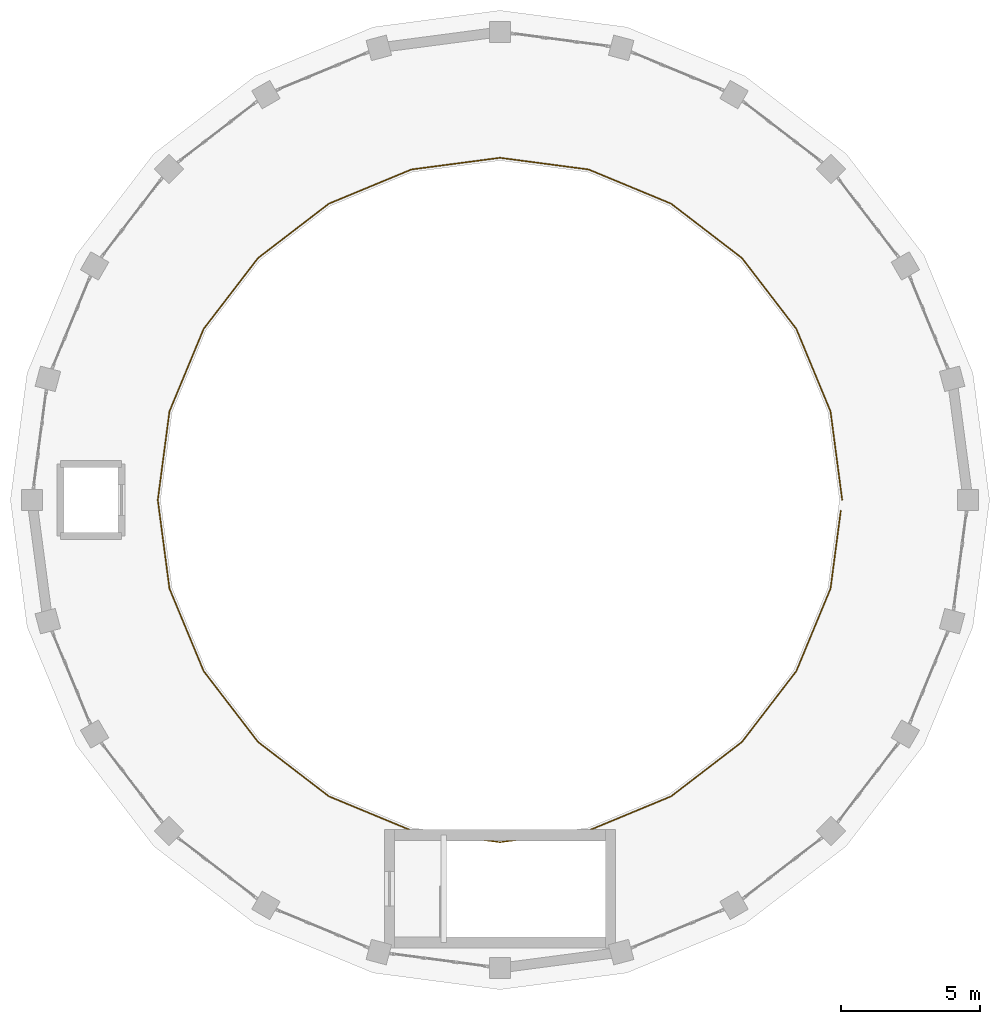
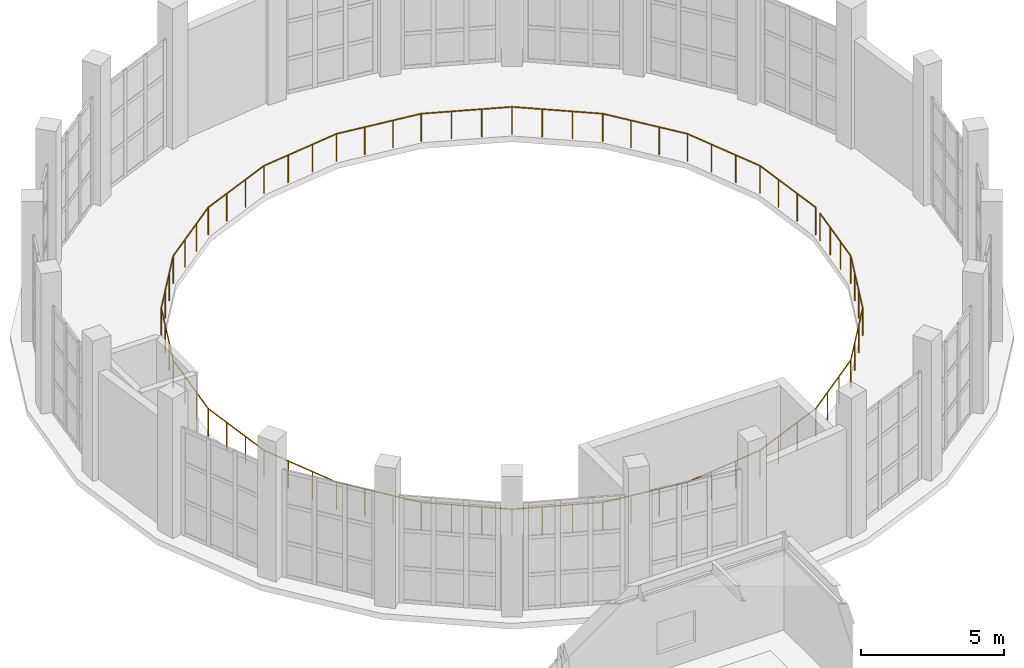
# One storey, part 59 of 59: 1 railing.
"""IFC4 building model written with IfcOpenShell, lengths in metres."""

from ifc_helpers import new_model, si_unit, direction, frame, origin, origin_2d, place, context, subcontext, project, spatial, circle, extrude, material, type_object, element, save


model = new_model("IFC4")

# Units and contexts
model_context = context("Model", 3, precision=1e-05, world=origin(), true_north=direction((0.0, 1.0)))
body_context = subcontext(model_context, "Body", "Model", "MODEL_VIEW")
ifc_project = project(units=[si_unit("LENGTHUNIT", "METRE"), si_unit("AREAUNIT", "SQUARE_METRE"), si_unit("VOLUMEUNIT", "CUBIC_METRE"), si_unit("PLANEANGLEUNIT", "RADIAN"), si_unit("MASSUNIT", "GRAM", prefix="KILO")], contexts=[model_context])

# Site, building, storey
site_placement = place(None, origin())
site = spatial("IfcSite", under=ifc_project, at=site_placement, CompositionType="ELEMENT")
building_placement = place(site_placement, origin())
building = spatial("IfcBuilding", under=site, at=building_placement, Name="Kandorven Conservatory and Botanical Research Centre", CompositionType="ELEMENT")
storey_placement = place(building_placement, frame((0.0, 0.0, 4.800048828125)))
storey = spatial("IfcBuildingStorey", under=building, at=storey_placement, Name="L01", CompositionType="ELEMENT", Elevation=4.800048828125)

# Railing
ifc_material = material(Name="Steel S355 (IS 2062 E350)", Category="steel")
railing_type = type_object("IfcRailingType", Name="Guard_Terrace", PredefinedType="BALUSTRADE", material=ifc_material)
railing_placement = place(storey_placement, frame((99.89990234375, 47.800048828125, 0.0)))
element("IfcRailing", 1, at=railing_placement, inside=storey, type_object=railing_type, Name="Conservatory L01 canopy walkway inner guard balustrade GR-01", PredefinedType="BALUSTRADE", context=body_context, shape_type="SweptSolid", body=[
    extrude(circle(Radius=0.02392578125, at=origin_2d()), frame((0.0, 0.0, 1.17578125), z_axis=(-0.130480082608, 0.991450930729, 0.0), x_axis=(-0.991450930729, -0.130480082608, 0.0)), (0.0, 0.0, 1.0), 3.210693359375),
    extrude(circle(Radius=0.02392578125, at=origin_2d()), frame((-0.4189453125, 3.183349609375, 1.17578125), z_axis=(-0.382676358639, 0.923882462513, 0.0), x_axis=(-0.923882462513, -0.382676358639, 0.0)), (0.0, 0.0, 1.0), 3.2109375),
    extrude(circle(Radius=0.02392578125, at=origin_2d()), frame((-1.647705078125, 6.14990234375, 1.17578125), z_axis=(-0.608795416016, 0.793327259987, 0.0), x_axis=(-0.793327259987, -0.608795416016, 0.0)), (0.0, 0.0, 1.0), 3.2109375),
    extrude(circle(Radius=0.02392578125, at=origin_2d()), frame((-3.6025390625, 8.697265625, 1.17578125), z_axis=(-0.793327259987, 0.608795416016, 0.0), x_axis=(-0.608795416016, -0.793327259987, 0.0)), (0.0, 0.0, 1.0), 3.2109375),
    extrude(circle(Radius=0.02392578125, at=origin_2d()), frame((-6.14990234375, 10.652099609375, 1.17578125), z_axis=(-0.923882462513, 0.382676358639, 0.0), x_axis=(-0.382676358639, -0.923882462513, 0.0)), (0.0, 0.0, 1.0), 3.2109375),
    extrude(circle(Radius=0.02392578125, at=origin_2d()), frame((-9.116455078125, 11.880859375, 1.17578125), z_axis=(-0.991441091468, 0.1305548243, 0.0), x_axis=(-0.1305548243, -0.991441091468, 0.0)), (0.0, 0.0, 1.0), 3.2109375),
    extrude(circle(Radius=0.02392578125, at=origin_2d()), frame((-12.2998046875, 12.300048828125, 1.17578125), z_axis=(-0.991442387332, -0.130544983056, 0.0), x_axis=(0.130544983056, -0.991442387332, 0.0)), (0.0, 0.0, 1.0), 3.211181640625),
    extrude(circle(Radius=0.02392578125, at=origin_2d()), frame((-15.4833984375, 11.880859375, 1.17578125), z_axis=(-0.923882462513, -0.382676358639, 0.0), x_axis=(0.382676358639, -0.923882462513, 0.0)), (0.0, 0.0, 1.0), 3.2109375),
    extrude(circle(Radius=0.02392578125, at=origin_2d()), frame((-18.449951171875, 10.652099609375, 1.17578125), z_axis=(-0.793327259987, -0.608795416016, 0.0), x_axis=(0.608795416016, -0.793327259987, 0.0)), (0.0, 0.0, 1.0), 3.2109375),
    extrude(circle(Radius=0.02392578125, at=origin_2d()), frame((-20.997314453125, 8.697265625, 1.17578125), z_axis=(-0.60874756001, -0.793363982156, 0.0), x_axis=(0.793363982156, -0.60874756001, 0.0)), (0.0, 0.0, 1.0), 3.2109375),
    extrude(circle(Radius=0.02392578125, at=origin_2d()), frame((-22.951904296875, 6.14990234375, 1.17578125), z_axis=(-0.382741254828, -0.923855579543, 0.0), x_axis=(0.923855579543, -0.382741254828, 0.0)), (0.0, 0.0, 1.0), 3.2109375),
    extrude(circle(Radius=0.02392578125, at=origin_2d()), frame((-24.180908203125, 3.183349609375, 1.17578125), z_axis=(-0.130480082608, -0.991450930729, 0.0), x_axis=(0.991450930729, -0.130480082608, 0.0)), (0.0, 0.0, 1.0), 3.210693359375),
    extrude(circle(Radius=0.02392578125, at=origin_2d()), frame((-24.599853515625, 0.0, 1.17578125), z_axis=(0.130470246803, -0.991452225122, 0.0), x_axis=(0.991452225122, 0.130470246803, 0.0)), (0.0, 0.0, 1.0), 3.2109375),
    extrude(circle(Radius=0.02392578125, at=origin_2d()), frame((-24.180908203125, -3.18359375, 1.17578125), z_axis=(0.382741254828, -0.923855579543, 0.0), x_axis=(0.923855579543, 0.382741254828, 0.0)), (0.0, 0.0, 1.0), 3.2109375),
    extrude(circle(Radius=0.02392578125, at=origin_2d()), frame((-22.951904296875, -6.150146484375, 1.17578125), z_axis=(0.60874756001, -0.793363982156, 0.0), x_axis=(0.793363982156, 0.60874756001, 0.0)), (0.0, 0.0, 1.0), 3.2109375),
    extrude(circle(Radius=0.02392578125, at=origin_2d()), frame((-20.997314453125, -8.697509765625, 1.17578125), z_axis=(0.793363982156, -0.60874756001, 0.0), x_axis=(0.60874756001, 0.793363982156, 0.0)), (0.0, 0.0, 1.0), 3.2109375),
    extrude(circle(Radius=0.02392578125, at=origin_2d()), frame((-18.449951171875, -10.652099609375, 1.17578125), z_axis=(0.923882462513, -0.382676358639, 0.0), x_axis=(0.382676358639, 0.923882462513, 0.0)), (0.0, 0.0, 1.0), 3.2109375),
    extrude(circle(Radius=0.02392578125, at=origin_2d()), frame((-15.4833984375, -11.880859375, 1.17578125), z_axis=(0.991442387332, -0.130544983056, 0.0), x_axis=(0.130544983056, 0.991442387332, 0.0)), (0.0, 0.0, 1.0), 3.211181640625),
    extrude(circle(Radius=0.02392578125, at=origin_2d()), frame((-12.2998046875, -12.300048828125, 1.17578125), z_axis=(0.991441091468, 0.1305548243, 0.0), x_axis=(-0.1305548243, 0.991441091468, 0.0)), (0.0, 0.0, 1.0), 3.2109375),
    extrude(circle(Radius=0.02392578125, at=origin_2d()), frame((-9.116455078125, -11.880859375, 1.17578125), z_axis=(0.923882462513, 0.382676358639, 0.0), x_axis=(-0.382676358639, 0.923882462513, 0.0)), (0.0, 0.0, 1.0), 3.2109375),
    extrude(circle(Radius=0.02392578125, at=origin_2d()), frame((-6.14990234375, -10.652099609375, 1.17578125), z_axis=(0.793363982156, 0.60874756001, 0.0), x_axis=(-0.60874756001, 0.793363982156, 0.0)), (0.0, 0.0, 1.0), 3.2109375),
    extrude(circle(Radius=0.02392578125, at=origin_2d()), frame((-3.6025390625, -8.697509765625, 1.17578125), z_axis=(0.608795416016, 0.793327259987, 0.0), x_axis=(-0.793327259987, 0.608795416016, 0.0)), (0.0, 0.0, 1.0), 3.2109375),
    extrude(circle(Radius=0.02392578125, at=origin_2d()), frame((-1.647705078125, -6.150146484375, 1.17578125), z_axis=(0.382676358639, 0.923882462513, 0.0), x_axis=(-0.923882462513, 0.382676358639, 0.0)), (0.0, 0.0, 1.0), 3.2109375),
    extrude(circle(Radius=0.02392578125, at=origin_2d()), frame((-0.4189453125, -3.18359375, 1.17578125), z_axis=(0.130465687657, 0.991452825073, 0.0), x_axis=(-0.991452825073, 0.130465687657, 0.0)), (0.0, 0.0, 1.0), 2.82568359375),
    extrude(circle(Radius=0.02099609375, at=origin_2d()), origin(), (0.0, 0.0, 1.0), 1.15185546875),
    extrude(circle(Radius=0.02099609375, at=origin_2d()), frame((-0.1396484375, 1.06103515625, 0.0)), (0.0, 0.0, 1.0), 1.15185546875),
    extrude(circle(Radius=0.02099609375, at=origin_2d()), frame((-0.279296875, 2.122314453125, 0.0)), (0.0, 0.0, 1.0), 1.15185546875),
    extrude(circle(Radius=0.02099609375, at=origin_2d()), frame((-0.4189453125, 3.183349609375, 0.0)), (0.0, 0.0, 1.0), 1.15185546875),
    extrude(circle(Radius=0.02099609375, at=origin_2d()), frame((-0.82861328125, 4.172119140625, 0.0)), (0.0, 0.0, 1.0), 1.15185546875),
    extrude(circle(Radius=0.02099609375, at=origin_2d()), frame((-1.238037109375, 5.1611328125, 0.0)), (0.0, 0.0, 1.0), 1.15185546875),
    extrude(circle(Radius=0.02099609375, at=origin_2d()), frame((-1.647705078125, 6.14990234375, 0.0)), (0.0, 0.0, 1.0), 1.15185546875),
    extrude(circle(Radius=0.02099609375, at=origin_2d()), frame((-2.29931640625, 6.9990234375, 0.0)), (0.0, 0.0, 1.0), 1.15185546875),
    extrude(circle(Radius=0.02099609375, at=origin_2d()), frame((-2.950927734375, 7.84814453125, 0.0)), (0.0, 0.0, 1.0), 1.15185546875),
    extrude(circle(Radius=0.02099609375, at=origin_2d()), frame((-3.6025390625, 8.697265625, 0.0)), (0.0, 0.0, 1.0), 1.15185546875),
    extrude(circle(Radius=0.02099609375, at=origin_2d()), frame((-4.45166015625, 9.348876953125, 0.0)), (0.0, 0.0, 1.0), 1.15185546875),
    extrude(circle(Radius=0.02099609375, at=origin_2d()), frame((-5.30078125, 10.00048828125, 0.0)), (0.0, 0.0, 1.0), 1.15185546875),
    extrude(circle(Radius=0.02099609375, at=origin_2d()), frame((-6.14990234375, 10.652099609375, 0.0)), (0.0, 0.0, 1.0), 1.15185546875),
    extrude(circle(Radius=0.02099609375, at=origin_2d()), frame((-7.138671875, 11.061767578125, 0.0)), (0.0, 0.0, 1.0), 1.15185546875),
    extrude(circle(Radius=0.02099609375, at=origin_2d()), frame((-8.127685546875, 11.47119140625, 0.0)), (0.0, 0.0, 1.0), 1.15185546875),
    extrude(circle(Radius=0.02099609375, at=origin_2d()), frame((-9.116455078125, 11.880859375, 0.0)), (0.0, 0.0, 1.0), 1.15185546875),
    extrude(circle(Radius=0.02099609375, at=origin_2d()), frame((-10.177490234375, 12.0205078125, 0.0)), (0.0, 0.0, 1.0), 1.15185546875),
    extrude(circle(Radius=0.02099609375, at=origin_2d()), frame((-11.23876953125, 12.160400390625, 0.0)), (0.0, 0.0, 1.0), 1.15185546875),
    extrude(circle(Radius=0.02099609375, at=origin_2d()), frame((-12.2998046875, 12.300048828125, 0.0)), (0.0, 0.0, 1.0), 1.15185546875),
    extrude(circle(Radius=0.02099609375, at=origin_2d()), frame((-13.361083984375, 12.160400390625, 0.0)), (0.0, 0.0, 1.0), 1.15185546875),
    extrude(circle(Radius=0.02099609375, at=origin_2d()), frame((-14.422119140625, 12.0205078125, 0.0)), (0.0, 0.0, 1.0), 1.15185546875),
    extrude(circle(Radius=0.02099609375, at=origin_2d()), frame((-15.4833984375, 11.880859375, 0.0)), (0.0, 0.0, 1.0), 1.15185546875),
    extrude(circle(Radius=0.02099609375, at=origin_2d()), frame((-16.47216796875, 11.47119140625, 0.0)), (0.0, 0.0, 1.0), 1.15185546875),
    extrude(circle(Radius=0.02099609375, at=origin_2d()), frame((-17.461181640625, 11.061767578125, 0.0)), (0.0, 0.0, 1.0), 1.15185546875),
    extrude(circle(Radius=0.02099609375, at=origin_2d()), frame((-18.449951171875, 10.652099609375, 0.0)), (0.0, 0.0, 1.0), 1.15185546875),
    extrude(circle(Radius=0.02099609375, at=origin_2d()), frame((-19.299072265625, 10.00048828125, 0.0)), (0.0, 0.0, 1.0), 1.15185546875),
    extrude(circle(Radius=0.02099609375, at=origin_2d()), frame((-20.148193359375, 9.348876953125, 0.0)), (0.0, 0.0, 1.0), 1.15185546875),
    extrude(circle(Radius=0.02099609375, at=origin_2d()), frame((-20.997314453125, 8.697265625, 0.0)), (0.0, 0.0, 1.0), 1.15185546875),
    extrude(circle(Radius=0.02099609375, at=origin_2d()), frame((-21.64892578125, 7.84814453125, 0.0)), (0.0, 0.0, 1.0), 1.15185546875),
    extrude(circle(Radius=0.02099609375, at=origin_2d()), frame((-22.30029296875, 6.9990234375, 0.0)), (0.0, 0.0, 1.0), 1.15185546875),
    extrude(circle(Radius=0.02099609375, at=origin_2d()), frame((-22.951904296875, 6.14990234375, 0.0)), (0.0, 0.0, 1.0), 1.15185546875),
    extrude(circle(Radius=0.02099609375, at=origin_2d()), frame((-23.361572265625, 5.1611328125, 0.0)), (0.0, 0.0, 1.0), 1.15185546875),
    extrude(circle(Radius=0.02099609375, at=origin_2d()), frame((-23.771240234375, 4.172119140625, 0.0)), (0.0, 0.0, 1.0), 1.15185546875),
    extrude(circle(Radius=0.02099609375, at=origin_2d()), frame((-24.180908203125, 3.183349609375, 0.0)), (0.0, 0.0, 1.0), 1.15185546875),
    extrude(circle(Radius=0.02099609375, at=origin_2d()), frame((-24.320556640625, 2.122314453125, 0.0)), (0.0, 0.0, 1.0), 1.15185546875),
    extrude(circle(Radius=0.02099609375, at=origin_2d()), frame((-24.460205078125, 1.06103515625, 0.0)), (0.0, 0.0, 1.0), 1.15185546875),
    extrude(circle(Radius=0.02099609375, at=origin_2d()), frame((-24.599853515625, 0.0, 0.0)), (0.0, 0.0, 1.0), 1.15185546875),
    extrude(circle(Radius=0.02099609375, at=origin_2d()), frame((-24.460205078125, -1.061279296875, 0.0)), (0.0, 0.0, 1.0), 1.15185546875),
    extrude(circle(Radius=0.02099609375, at=origin_2d()), frame((-24.320556640625, -2.122314453125, 0.0)), (0.0, 0.0, 1.0), 1.15185546875),
    extrude(circle(Radius=0.02099609375, at=origin_2d()), frame((-24.180908203125, -3.18359375, 0.0)), (0.0, 0.0, 1.0), 1.15185546875),
    extrude(circle(Radius=0.02099609375, at=origin_2d()), frame((-23.771240234375, -4.17236328125, 0.0)), (0.0, 0.0, 1.0), 1.15185546875),
    extrude(circle(Radius=0.02099609375, at=origin_2d()), frame((-23.361572265625, -5.161376953125, 0.0)), (0.0, 0.0, 1.0), 1.15185546875),
    extrude(circle(Radius=0.02099609375, at=origin_2d()), frame((-22.951904296875, -6.150146484375, 0.0)), (0.0, 0.0, 1.0), 1.15185546875),
    extrude(circle(Radius=0.02099609375, at=origin_2d()), frame((-22.30029296875, -6.999267578125, 0.0)), (0.0, 0.0, 1.0), 1.15185546875),
    extrude(circle(Radius=0.02099609375, at=origin_2d()), frame((-21.64892578125, -7.848388671875, 0.0)), (0.0, 0.0, 1.0), 1.15185546875),
    extrude(circle(Radius=0.02099609375, at=origin_2d()), frame((-20.997314453125, -8.697509765625, 0.0)), (0.0, 0.0, 1.0), 1.15185546875),
    extrude(circle(Radius=0.02099609375, at=origin_2d()), frame((-20.148193359375, -9.34912109375, 0.0)), (0.0, 0.0, 1.0), 1.15185546875),
    extrude(circle(Radius=0.02099609375, at=origin_2d()), frame((-19.299072265625, -10.00048828125, 0.0)), (0.0, 0.0, 1.0), 1.15185546875),
    extrude(circle(Radius=0.02099609375, at=origin_2d()), frame((-18.449951171875, -10.652099609375, 0.0)), (0.0, 0.0, 1.0), 1.15185546875),
    extrude(circle(Radius=0.02099609375, at=origin_2d()), frame((-17.461181640625, -11.061767578125, 0.0)), (0.0, 0.0, 1.0), 1.15185546875),
    extrude(circle(Radius=0.02099609375, at=origin_2d()), frame((-16.47216796875, -11.47119140625, 0.0)), (0.0, 0.0, 1.0), 1.15185546875),
    extrude(circle(Radius=0.02099609375, at=origin_2d()), frame((-15.4833984375, -11.880859375, 0.0)), (0.0, 0.0, 1.0), 1.15185546875),
    extrude(circle(Radius=0.02099609375, at=origin_2d()), frame((-14.422119140625, -12.0205078125, 0.0)), (0.0, 0.0, 1.0), 1.15185546875),
    extrude(circle(Radius=0.02099609375, at=origin_2d()), frame((-13.361083984375, -12.160400390625, 0.0)), (0.0, 0.0, 1.0), 1.15185546875),
    extrude(circle(Radius=0.02099609375, at=origin_2d()), frame((-12.2998046875, -12.300048828125, 0.0)), (0.0, 0.0, 1.0), 1.15185546875),
    extrude(circle(Radius=0.02099609375, at=origin_2d()), frame((-11.23876953125, -12.160400390625, 0.0)), (0.0, 0.0, 1.0), 1.15185546875),
    extrude(circle(Radius=0.02099609375, at=origin_2d()), frame((-10.177490234375, -12.0205078125, 0.0)), (0.0, 0.0, 1.0), 1.15185546875),
    extrude(circle(Radius=0.02099609375, at=origin_2d()), frame((-9.116455078125, -11.880859375, 0.0)), (0.0, 0.0, 1.0), 1.15185546875),
    extrude(circle(Radius=0.02099609375, at=origin_2d()), frame((-8.127685546875, -11.47119140625, 0.0)), (0.0, 0.0, 1.0), 1.15185546875),
    extrude(circle(Radius=0.02099609375, at=origin_2d()), frame((-7.138671875, -11.061767578125, 0.0)), (0.0, 0.0, 1.0), 1.15185546875),
    extrude(circle(Radius=0.02099609375, at=origin_2d()), frame((-6.14990234375, -10.652099609375, 0.0)), (0.0, 0.0, 1.0), 1.15185546875),
    extrude(circle(Radius=0.02099609375, at=origin_2d()), frame((-5.30078125, -10.00048828125, 0.0)), (0.0, 0.0, 1.0), 1.15185546875),
    extrude(circle(Radius=0.02099609375, at=origin_2d()), frame((-4.45166015625, -9.34912109375, 0.0)), (0.0, 0.0, 1.0), 1.15185546875),
    extrude(circle(Radius=0.02099609375, at=origin_2d()), frame((-3.6025390625, -8.697509765625, 0.0)), (0.0, 0.0, 1.0), 1.15185546875),
    extrude(circle(Radius=0.02099609375, at=origin_2d()), frame((-2.950927734375, -7.848388671875, 0.0)), (0.0, 0.0, 1.0), 1.15185546875),
    extrude(circle(Radius=0.02099609375, at=origin_2d()), frame((-2.29931640625, -6.999267578125, 0.0)), (0.0, 0.0, 1.0), 1.15185546875),
    extrude(circle(Radius=0.02099609375, at=origin_2d()), frame((-1.647705078125, -6.150146484375, 0.0)), (0.0, 0.0, 1.0), 1.15185546875),
    extrude(circle(Radius=0.02099609375, at=origin_2d()), frame((-1.238037109375, -5.161376953125, 0.0)), (0.0, 0.0, 1.0), 1.15185546875),
    extrude(circle(Radius=0.02099609375, at=origin_2d()), frame((-0.82861328125, -4.17236328125, 0.0)), (0.0, 0.0, 1.0), 1.15185546875),
    extrude(circle(Radius=0.02099609375, at=origin_2d()), frame((-0.4189453125, -3.18359375, 0.0)), (0.0, 0.0, 1.0), 1.15185546875),
    extrude(circle(Radius=0.02099609375, at=origin_2d()), frame((-0.296142578125, -2.249755859375, 0.0)), (0.0, 0.0, 1.0), 1.15185546875),
    extrude(circle(Radius=0.02099609375, at=origin_2d()), frame((-0.173095703125, -1.31591796875, 0.0)), (0.0, 0.0, 1.0), 1.15185546875),
    extrude(circle(Radius=0.02099609375, at=origin_2d()), frame((-0.05029296875, -0.382080078125, 0.0)), (0.0, 0.0, 1.0), 1.15185546875),
])

save(model, "model.ifc")
